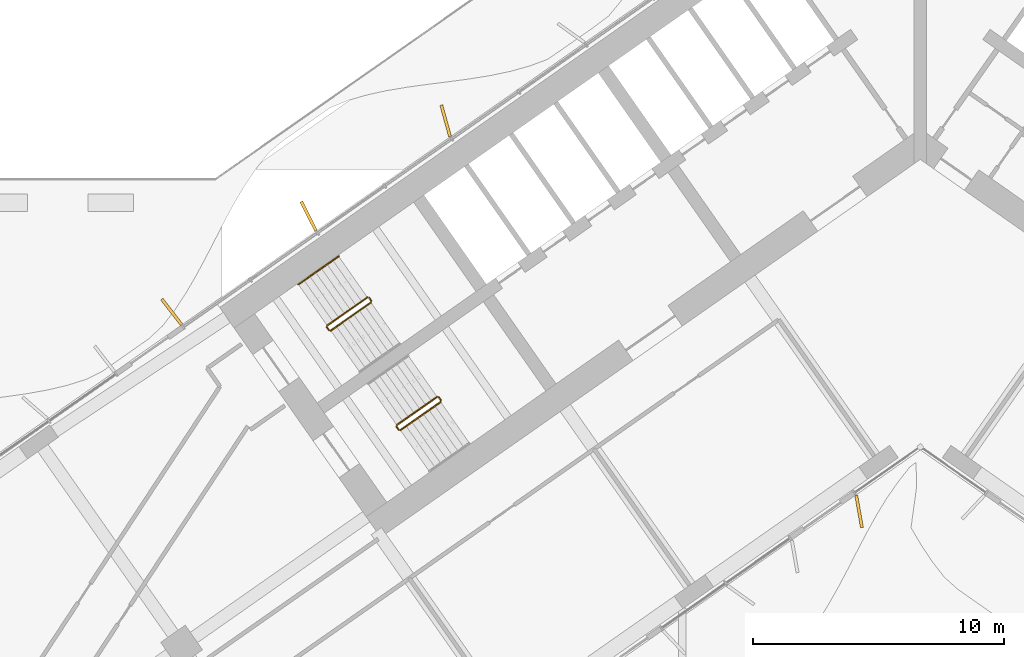
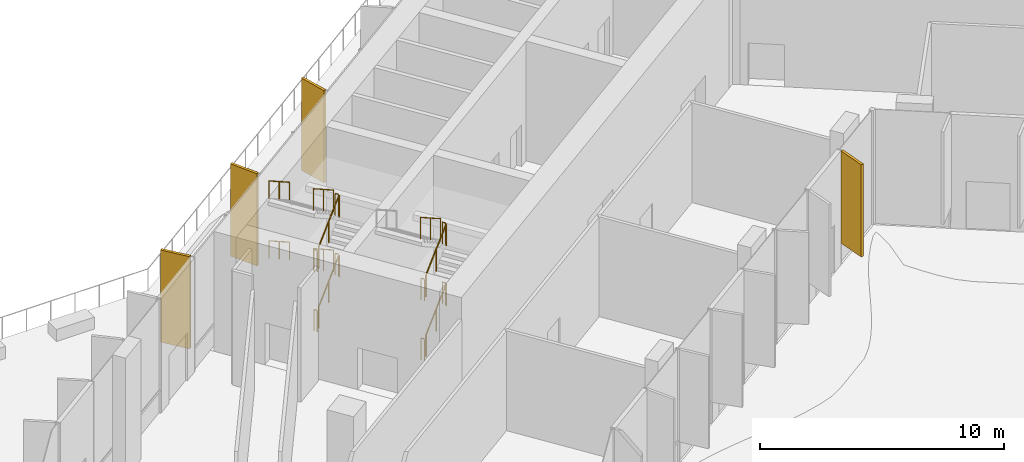
# One storey, part 24 of 27: 17 railings, 4 shading devices.
"""IFC4 building model written with IfcOpenShell, lengths in metres."""

from ifc_helpers import new_model, si_unit, direction, frame, origin, origin_2d, place, context, subcontext, project, spatial, rectangle, circle, extrude, material, layer, layer_set, type_object, element, save


model = new_model("IFC4")

# Units and contexts
model_context = context("Model", 3, precision=1e-05, world=origin(), true_north=direction((0.0, 1.0)))
body_context = subcontext(model_context, "Body", "Model", "MODEL_VIEW")
ifc_project = project(units=[si_unit("LENGTHUNIT", "METRE"), si_unit("AREAUNIT", "SQUARE_METRE"), si_unit("VOLUMEUNIT", "CUBIC_METRE"), si_unit("PLANEANGLEUNIT", "RADIAN"), si_unit("MASSUNIT", "GRAM", prefix="KILO")], contexts=[model_context])

# Site, building, storey
site_placement = place(None, origin())
site = spatial("IfcSite", under=ifc_project, at=site_placement, CompositionType="ELEMENT")
building_placement = place(site_placement, origin())
building = spatial("IfcBuilding", under=site, at=building_placement, Name="Tel Ilan Convention Tower", CompositionType="ELEMENT")
storey_placement = place(building_placement, frame((0.0, 0.0, 48.5)))
storey = spatial("IfcBuildingStorey", under=building, at=storey_placement, Name="L07", CompositionType="ELEMENT", Elevation=48.5)

# Shading devices
ifc_material_1 = material(Name="Aluminium, bronze anodised", Category="aluminium")
ifc_layer = layer(ifc_material_1, 0.1201171875)
ifc_layer_set = layer_set([ifc_layer], Name="FIN BRONZE 1300x120")
shading_device_type = type_object("IfcShadingDeviceType", Name="FIN BRONZE 1300x120", PredefinedType="USERDEFINED", material=ifc_layer_set)
for number, where, z_axis, x_axis, name in (
    (1, (-2.44287109375, -15.278076171875, 1.099853515625), (0.0, 0.0, 1.0), (0.173648177667, -0.984807753012, 0.0), "FIN"),
    (2, (-18.947509765625, 0.322998046875, 1.099853515625), (0.0, 0.0, 1.0), (-0.268172612768, 0.963370878614, 0.0), "FIN"),
    (3, (-24.4189453125, -3.485107421875, 1.099853515625), (0.0, 0.0, 1.0), (-0.448799180206, 0.893632640321, 0.0), "FIN"),
    (4, (-29.882568359375, -7.310302734375, 1.099853515625), (0.0, 0.0, 1.0), (-0.612600545196, 0.790392669516, 0.0), "FIN"),
):
    element("IfcShadingDevice", number, at=place(storey_placement, frame(where, z_axis=z_axis, x_axis=x_axis)), inside=storey, type_object=shading_device_type, Name=name, ObjectType="FIN", PredefinedType="USERDEFINED", context=body_context, shape_type="SweptSolid", body=[
        extrude(rectangle(XDim=1.300048828125, YDim=0.1201171875, at=origin_2d()), origin(), (0.0, 0.0, 1.0), 4.6201171875),
    ])

# Railings
ifc_material_2 = material(Name="Stainless Steel Grade 316", Category="steel")
railing_type_1 = type_object("IfcRailingType", Name="Stainless Steel Stair Guard 1100 mm", PredefinedType="GUARDRAIL", material=ifc_material_2)
railing_1_placement = place(storey_placement, frame((-23.535400390625, -8.056396484375, 0.1875)))
element("IfcRailing", 5, at=railing_1_placement, inside=storey, type_object=railing_type_1, Name="L07 S1 stair guard 1", PredefinedType="GUARDRAIL", context=body_context, shape_type="SweptSolid", body=[
    extrude(circle(Radius=0.02392578125, at=origin_2d()), frame((0.0, 0.0, 1.076171875), z_axis=(0.680615610069, 0.476617226942, 0.556415681224), x_axis=(-0.573612813533, 0.819126571508, 0.0)), (0.0, 0.0, 1.0), 2.35888671875),
    extrude(circle(Radius=0.02099609375, at=origin_2d()), origin(), (0.0, 0.0, 1.0), 1.052001953125),
    extrude(circle(Radius=0.02099609375, at=origin_2d()), frame((0.802734375, 0.56201171875, 0.65625)), (0.0, 0.0, 1.0), 1.052001953125),
    extrude(circle(Radius=0.02099609375, at=origin_2d()), frame((1.60546875, 1.124267578125, 1.3125)), (0.0, 0.0, 1.0), 1.052001953125),
])
railing_2_placement = place(storey_placement, frame((-21.91748046875, -6.862548828125, 1.5)))
element("IfcRailing", 6, at=railing_2_placement, inside=storey, type_object=railing_type_1, Name="L07 S1 stair guard 2", PredefinedType="GUARDRAIL", context=body_context, shape_type="SweptSolid", body=[
    extrude(circle(Radius=0.02392578125, at=origin_2d()), frame((0.0, 0.0, 1.076171875), z_axis=(-0.57368046593, 0.819079192149, 0.0), x_axis=(-0.819079192149, -0.57368046593, 0.0)), (0.0, 0.0, 1.0), 0.150146484375),
    extrude(circle(Radius=0.02099609375, at=origin_2d()), origin(), (0.0, 0.0, 1.0), 1.052001953125),
    extrude(circle(Radius=0.02099609375, at=origin_2d()), frame((-0.086181640625, 0.123046875, 0.0)), (0.0, 0.0, 1.0), 1.052001953125),
])
railing_3_placement = place(storey_placement, frame((-22.0732421875, -6.727294921875, 1.6875)))
element("IfcRailing", 7, at=railing_3_placement, inside=storey, type_object=railing_type_1, Name="L07 S1 stair guard 3", PredefinedType="GUARDRAIL", context=body_context, shape_type="SweptSolid", body=[
    extrude(circle(Radius=0.02392578125, at=origin_2d()), frame((0.0, 0.0, 1.076171875), z_axis=(-0.680615610069, -0.476617226942, 0.556415681224), x_axis=(0.573612813533, -0.819126571508, 0.0)), (0.0, 0.0, 1.0), 2.35888671875),
    extrude(circle(Radius=0.02099609375, at=origin_2d()), origin(), (0.0, 0.0, 1.0), 1.052001953125),
    extrude(circle(Radius=0.02099609375, at=origin_2d()), frame((-0.802734375, -0.56201171875, 0.65625)), (0.0, 0.0, 1.0), 1.052001953125),
    extrude(circle(Radius=0.02099609375, at=origin_2d()), frame((-1.60546875, -1.124267578125, 1.3125)), (0.0, 0.0, 1.0), 1.052001953125),
])
railing_4_placement = place(storey_placement, frame((-23.60498046875, -8.0439453125, 3.0)))
element("IfcRailing", 8, at=railing_4_placement, inside=storey, type_object=railing_type_1, Name="L07 S1 stair guard 4", PredefinedType="GUARDRAIL", context=body_context, shape_type="SweptSolid", body=[
    extrude(circle(Radius=0.02392578125, at=origin_2d()), frame((0.0, 0.0, 1.076171875), z_axis=(-0.574444878118, 0.818543268254, 0.0), x_axis=(-0.818543268254, -0.574444878118, 0.0)), (0.0, 0.0, 1.0), 0.150146484375),
    extrude(circle(Radius=0.02099609375, at=origin_2d()), origin(), (0.0, 0.0, 1.0), 1.052001953125),
    extrude(circle(Radius=0.02099609375, at=origin_2d()), frame((-0.086181640625, 0.122802734375, 0.0)), (0.0, 0.0, 1.0), 1.052001953125),
])
railing_5_placement = place(storey_placement, frame((-23.535400390625, -8.056396484375, 3.1875)))
element("IfcRailing", 9, at=railing_5_placement, inside=storey, type_object=railing_type_1, Name="L07 S1 stair guard 5", PredefinedType="GUARDRAIL", context=body_context, shape_type="SweptSolid", body=[
    extrude(circle(Radius=0.02392578125, at=origin_2d()), frame((0.0, 0.0, 1.076171875), z_axis=(0.680615610069, 0.476617226942, 0.556415681224), x_axis=(-0.573612813533, 0.819126571508, 0.0)), (0.0, 0.0, 1.0), 2.35888671875),
    extrude(circle(Radius=0.02099609375, at=origin_2d()), origin(), (0.0, 0.0, 1.0), 1.052001953125),
    extrude(circle(Radius=0.02099609375, at=origin_2d()), frame((0.802734375, 0.56201171875, 0.65625)), (0.0, 0.0, 1.0), 1.052001953125),
    extrude(circle(Radius=0.02099609375, at=origin_2d()), frame((1.60546875, 1.124267578125, 1.3125)), (0.0, 0.0, 1.0), 1.052001953125),
])
railing_6_placement = place(storey_placement, frame((-21.91748046875, -6.862548828125, 4.5)))
element("IfcRailing", 10, at=railing_6_placement, inside=storey, type_object=railing_type_1, Name="L07 S1 stair guard 6", PredefinedType="GUARDRAIL", context=body_context, shape_type="SweptSolid", body=[
    extrude(circle(Radius=0.02392578125, at=origin_2d()), frame((0.0, 0.0, 1.076171875), z_axis=(-0.57368046593, 0.819079192149, 0.0), x_axis=(-0.819079192149, -0.57368046593, 0.0)), (0.0, 0.0, 1.0), 0.150146484375),
    extrude(circle(Radius=0.02099609375, at=origin_2d()), origin(), (0.0, 0.0, 1.0), 1.052001953125),
    extrude(circle(Radius=0.02099609375, at=origin_2d()), frame((-0.086181640625, 0.123046875, 0.0)), (0.0, 0.0, 1.0), 1.052001953125),
])
railing_7_placement = place(storey_placement, frame((-22.0732421875, -6.727294921875, 4.6875)))
element("IfcRailing", 11, at=railing_7_placement, inside=storey, type_object=railing_type_1, Name="L07 S1 stair guard 7", PredefinedType="GUARDRAIL", context=body_context, shape_type="SweptSolid", body=[
    extrude(circle(Radius=0.02392578125, at=origin_2d()), frame((0.0, 0.0, 1.076171875), z_axis=(-0.680615610069, -0.476617226942, 0.556415681224), x_axis=(0.573612813533, -0.819126571508, 0.0)), (0.0, 0.0, 1.0), 2.35888671875),
    extrude(circle(Radius=0.02099609375, at=origin_2d()), origin(), (0.0, 0.0, 1.0), 1.052001953125),
    extrude(circle(Radius=0.02099609375, at=origin_2d()), frame((-0.802734375, -0.56201171875, 0.65625)), (0.0, 0.0, 1.0), 1.052001953125),
    extrude(circle(Radius=0.02099609375, at=origin_2d()), frame((-1.60546875, -1.124267578125, 1.3125)), (0.0, 0.0, 1.0), 1.052001953125),
])
railing_8_placement = place(storey_placement, frame((-23.60498046875, -8.0439453125, 0.0)))
element("IfcRailing", 12, at=railing_8_placement, inside=storey, type_object=railing_type_1, Name="L07 S1 stair guard 8", PredefinedType="GUARDRAIL", context=body_context, shape_type="SweptSolid", body=[
    extrude(circle(Radius=0.02392578125, at=origin_2d()), frame((0.0, 0.0, 1.076171875), z_axis=(-0.574444878118, 0.818543268254, 0.0), x_axis=(-0.818543268254, -0.574444878118, 0.0)), (0.0, 0.0, 1.0), 0.150146484375),
    extrude(circle(Radius=0.02099609375, at=origin_2d()), origin(), (0.0, 0.0, 1.0), 1.052001953125),
    extrude(circle(Radius=0.02099609375, at=origin_2d()), frame((-0.086181640625, 0.122802734375, 0.0)), (0.0, 0.0, 1.0), 1.052001953125),
])
railing_9_placement = place(storey_placement, frame((-20.753662109375, -12.029296875, 0.1875)))
element("IfcRailing", 13, at=railing_9_placement, inside=storey, type_object=railing_type_1, Name="L07 S2 stair guard 1", PredefinedType="GUARDRAIL", context=body_context, shape_type="SweptSolid", body=[
    extrude(circle(Radius=0.02392578125, at=origin_2d()), frame((0.0, 0.0, 1.076171875), z_axis=(0.680671159075, 0.476583653268, 0.55637648642), x_axis=(-0.573554290663, 0.819167550421, 0.0)), (0.0, 0.0, 1.0), 2.359130859375),
    extrude(circle(Radius=0.02099609375, at=origin_2d()), origin(), (0.0, 0.0, 1.0), 1.052001953125),
    extrude(circle(Radius=0.02099609375, at=origin_2d()), frame((0.802734375, 0.56201171875, 0.65625)), (0.0, 0.0, 1.0), 1.052001953125),
    extrude(circle(Radius=0.02099609375, at=origin_2d()), frame((1.605712890625, 1.124267578125, 1.3125)), (0.0, 0.0, 1.0), 1.052001953125),
])
railing_10_placement = place(storey_placement, frame((-19.1357421875, -10.83544921875, 1.5)))
element("IfcRailing", 14, at=railing_10_placement, inside=storey, type_object=railing_type_1, Name="L07 S2 stair guard 2", PredefinedType="GUARDRAIL", context=body_context, shape_type="SweptSolid", body=[
    extrude(circle(Radius=0.02392578125, at=origin_2d()), frame((0.0, 0.0, 1.076171875), z_axis=(-0.572588637393, 0.819842821722, 0.0), x_axis=(-0.819842821722, -0.572588637393, 0.0)), (0.0, 0.0, 1.0), 0.150146484375),
    extrude(circle(Radius=0.02099609375, at=origin_2d()), origin(), (0.0, 0.0, 1.0), 1.052001953125),
    extrude(circle(Radius=0.02099609375, at=origin_2d()), frame((-0.0859375, 0.123046875, 0.0)), (0.0, 0.0, 1.0), 1.052001953125),
])
railing_11_placement = place(storey_placement, frame((-20.8232421875, -12.016845703125, 3.0)))
element("IfcRailing", 15, at=railing_11_placement, inside=storey, type_object=railing_type_1, Name="L07 S2 stair guard 4", PredefinedType="GUARDRAIL", context=body_context, shape_type="SweptSolid", body=[
    extrude(circle(Radius=0.02392578125, at=origin_2d()), frame((0.0, 0.0, 1.076171875), z_axis=(-0.573353020881, 0.819308436089, 0.0), x_axis=(-0.819308436089, -0.573353020881, 0.0)), (0.0, 0.0, 1.0), 0.14990234375),
    extrude(circle(Radius=0.02099609375, at=origin_2d()), origin(), (0.0, 0.0, 1.0), 1.052001953125),
    extrude(circle(Radius=0.02099609375, at=origin_2d()), frame((-0.0859375, 0.122802734375, 0.0)), (0.0, 0.0, 1.0), 1.052001953125),
])
railing_12_placement = place(storey_placement, frame((-20.753662109375, -12.029296875, 3.1875)))
element("IfcRailing", 16, at=railing_12_placement, inside=storey, type_object=railing_type_1, Name="L07 S2 stair guard 5", PredefinedType="GUARDRAIL", context=body_context, shape_type="SweptSolid", body=[
    extrude(circle(Radius=0.02392578125, at=origin_2d()), frame((0.0, 0.0, 1.076171875), z_axis=(0.680671159075, 0.476583653268, 0.55637648642), x_axis=(-0.573554290663, 0.819167550421, 0.0)), (0.0, 0.0, 1.0), 2.359130859375),
    extrude(circle(Radius=0.02099609375, at=origin_2d()), origin(), (0.0, 0.0, 1.0), 1.052001953125),
    extrude(circle(Radius=0.02099609375, at=origin_2d()), frame((0.802734375, 0.56201171875, 0.65625)), (0.0, 0.0, 1.0), 1.052001953125),
    extrude(circle(Radius=0.02099609375, at=origin_2d()), frame((1.605712890625, 1.124267578125, 1.3125)), (0.0, 0.0, 1.0), 1.052001953125),
])
railing_13_placement = place(storey_placement, frame((-19.1357421875, -10.83544921875, 4.5)))
element("IfcRailing", 17, at=railing_13_placement, inside=storey, type_object=railing_type_1, Name="L07 S2 stair guard 6", PredefinedType="GUARDRAIL", context=body_context, shape_type="SweptSolid", body=[
    extrude(circle(Radius=0.02392578125, at=origin_2d()), frame((0.0, 0.0, 1.076171875), z_axis=(-0.572588637393, 0.819842821722, 0.0), x_axis=(-0.819842821722, -0.572588637393, 0.0)), (0.0, 0.0, 1.0), 0.150146484375),
    extrude(circle(Radius=0.02099609375, at=origin_2d()), origin(), (0.0, 0.0, 1.0), 1.052001953125),
    extrude(circle(Radius=0.02099609375, at=origin_2d()), frame((-0.0859375, 0.123046875, 0.0)), (0.0, 0.0, 1.0), 1.052001953125),
])
railing_14_placement = place(storey_placement, frame((-19.29150390625, -10.7001953125, 4.6875)))
element("IfcRailing", 18, at=railing_14_placement, inside=storey, type_object=railing_type_1, Name="L07 S2 stair guard 7", PredefinedType="GUARDRAIL", context=body_context, shape_type="SweptSolid", body=[
    extrude(circle(Radius=0.02392578125, at=origin_2d()), frame((0.0, 0.0, 1.076171875), z_axis=(-0.680615610069, -0.476617226942, 0.556415681224), x_axis=(0.573612813533, -0.819126571508, 0.0)), (0.0, 0.0, 1.0), 2.35888671875),
    extrude(circle(Radius=0.02099609375, at=origin_2d()), origin(), (0.0, 0.0, 1.0), 1.052001953125),
    extrude(circle(Radius=0.02099609375, at=origin_2d()), frame((-0.802734375, -0.56201171875, 0.65625)), (0.0, 0.0, 1.0), 1.052001953125),
    extrude(circle(Radius=0.02099609375, at=origin_2d()), frame((-1.60546875, -1.124267578125, 1.3125)), (0.0, 0.0, 1.0), 1.052001953125),
])
railing_15_placement = place(storey_placement, frame((-20.8232421875, -12.016845703125, 0.0)))
element("IfcRailing", 19, at=railing_15_placement, inside=storey, type_object=railing_type_1, Name="L07 S2 stair guard 8", PredefinedType="GUARDRAIL", context=body_context, shape_type="SweptSolid", body=[
    extrude(circle(Radius=0.02392578125, at=origin_2d()), frame((0.0, 0.0, 1.076171875), z_axis=(-0.573353020881, 0.819308436089, 0.0), x_axis=(-0.819308436089, -0.573353020881, 0.0)), (0.0, 0.0, 1.0), 0.14990234375),
    extrude(circle(Radius=0.02099609375, at=origin_2d()), origin(), (0.0, 0.0, 1.0), 1.052001953125),
    extrude(circle(Radius=0.02099609375, at=origin_2d()), frame((-0.0859375, 0.122802734375, 0.0)), (0.0, 0.0, 1.0), 1.052001953125),
])
ifc_material_3 = material(Name="Stainless Steel Grade 316", Category="steel")
railing_type_2 = type_object("IfcRailingType", Name="Stainless Steel Stair Handrail 900 mm", PredefinedType="HANDRAIL", material=ifc_material_3)
for number, where, name in (
    (20, (-23.220458984375, -5.089111328125, 1.6875), "L07 S1 stair handrail 2"),
    (21, (-23.220458984375, -5.089111328125, 4.6875), "L07 S1 stair handrail 4"),
):
    element("IfcRailing", number, at=place(storey_placement, frame(where)), inside=storey, type_object=railing_type_2, Name=name, PredefinedType="HANDRAIL", context=body_context, shape_type="SweptSolid", body=[
        extrude(circle(Radius=0.02392578125, at=origin_2d()), frame((0.0, 0.0, 0.8759765625), z_axis=(-0.680649183577, -0.476537232541, 0.55644312818), x_axis=(0.573529226717, -0.819185098803, 0.0)), (0.0, 0.0, 1.0), 2.358642578125),
        extrude(circle(Radius=0.02099609375, at=origin_2d()), origin(), (0.0, 0.0, 1.0), 0.851806640625),
        extrude(circle(Radius=0.02099609375, at=origin_2d()), frame((-0.802734375, -0.56201171875, 0.65625)), (0.0, 0.0, 1.0), 0.851806640625),
        extrude(circle(Radius=0.02099609375, at=origin_2d()), frame((-1.60546875, -1.1240234375, 1.3125)), (0.0, 0.0, 1.0), 0.851806640625),
    ])

save(model, "model.ifc")
